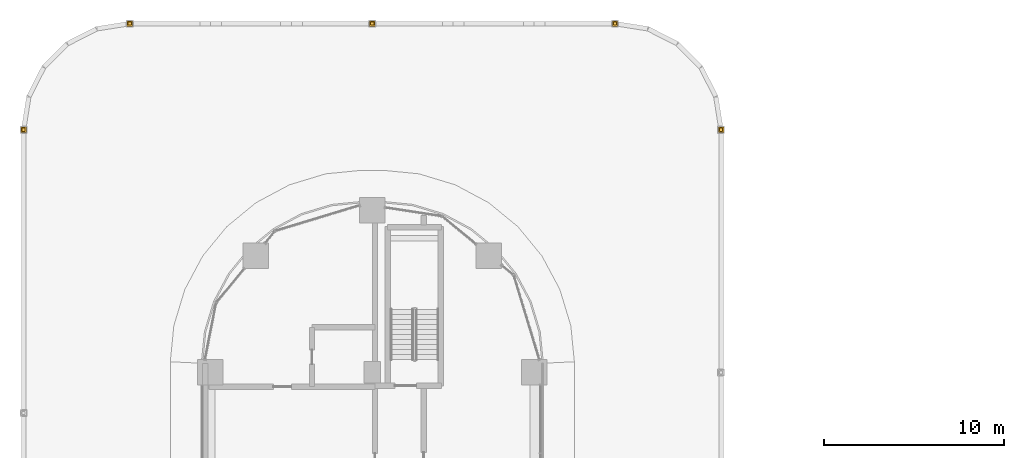
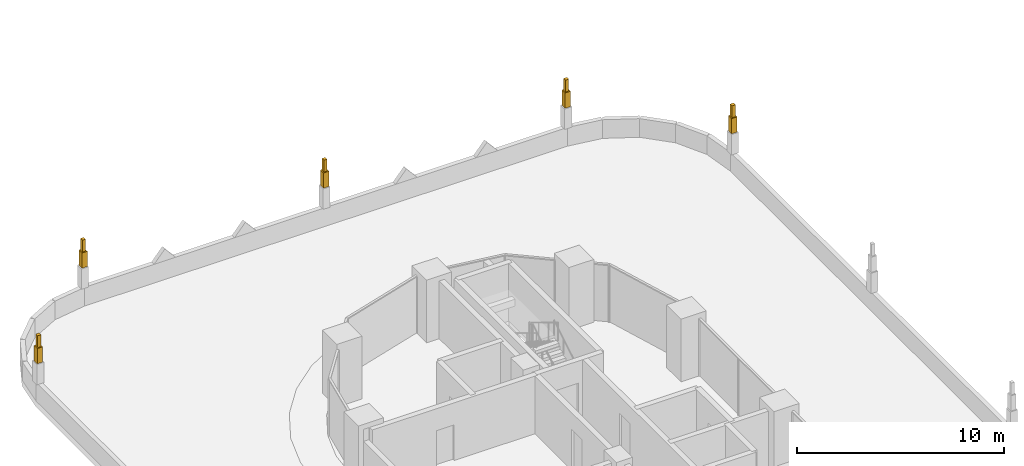
# One storey, part 51 of 51: 10 coverings.
"""IFC4 building model written with IfcOpenShell, lengths in metres."""

from ifc_helpers import new_model, si_unit, direction, frame, origin, origin_2d, place, context, subcontext, project, spatial, rectangle, extrude, material, layer, layer_set, type_object, element, save


model = new_model("IFC4")

# Units and contexts
model_context = context("Model", 3, precision=1e-05, world=origin(), true_north=direction((0.0, 1.0)))
body_context = subcontext(model_context, "Body", "Model", "MODEL_VIEW")
ifc_project = project(units=[si_unit("LENGTHUNIT", "METRE"), si_unit("AREAUNIT", "SQUARE_METRE"), si_unit("VOLUMEUNIT", "CUBIC_METRE"), si_unit("PLANEANGLEUNIT", "RADIAN"), si_unit("MASSUNIT", "GRAM", prefix="KILO")], contexts=[model_context])

# Site, building, storey
site_placement = place(None, origin())
site = spatial("IfcSite", under=ifc_project, at=site_placement, CompositionType="ELEMENT")
building_placement = place(site_placement, origin())
building = spatial("IfcBuilding", under=site, at=building_placement, Name="Ogive Portal Towers", CompositionType="ELEMENT")
storey_placement = place(building_placement, frame((0.0, 0.0, 33.5)))
storey = spatial("IfcBuildingStorey", under=building, at=storey_placement, Name="L06", CompositionType="ELEMENT", Elevation=33.5)

# Coverings
ifc_material = material(Name="Limestone cladding on lightweight block wall", Category="masonry")
ifc_layer_1 = layer(ifc_material, 0.179931640625)
ifc_layer_set_1 = layer_set([ifc_layer_1], Name="PINNACLE FINIAL STONE")
covering_type_1 = type_object("IfcCoveringType", Name="PINNACLE FINIAL STONE", PredefinedType="CLADDING", material=ifc_layer_set_1)
for number, where, z_axis, x_axis, name in (
    (1, (21.125, 79.980224609375, 3.2001953125), (0.0, 0.0, 1.0), (1.0, 0.0, 0.0), "PINNACLE"),
    (2, (59.875, 79.980224609375, 3.2001953125), (0.0, 0.0, 1.0), (1.0, 0.0, 0.0), "PINNACLE"),
    (3, (53.980224609375, 85.875, 3.2001953125), (0.0, 0.0, 1.0), (1.0, 0.0, 0.0), "PINNACLE"),
    (4, (40.5, 85.875, 3.2001953125), (0.0, 0.0, 1.0), (1.0, 0.0, 0.0), "PINNACLE"),
    (5, (27.019775390625, 85.875, 3.2001953125), (0.0, 0.0, 1.0), (1.0, 0.0, 0.0), "PINNACLE"),
):
    element("IfcCovering", number, at=place(storey_placement, frame(where, z_axis=z_axis, x_axis=x_axis)), inside=storey, type_object=covering_type_1, Name=name, PredefinedType="CLADDING", context=body_context, shape_type="SweptSolid", body=[
        extrude(rectangle(XDim=0.179931640625, YDim=0.179931640625, at=origin_2d()), origin(), (0.0, 0.0, 1.0), 0.699951171875),
    ])
ifc_layer_2 = layer(ifc_material, 0.300048828125)
ifc_layer_set_2 = layer_set([ifc_layer_2], Name="PINNACLE MID STONE")
covering_type_2 = type_object("IfcCoveringType", Name="PINNACLE MID STONE", PredefinedType="CLADDING", material=ifc_layer_set_2)
for number, where, z_axis, x_axis, name in (
    (6, (21.125, 79.980224609375, 2.300048828125), (0.0, 0.0, 1.0), (1.0, 0.0, 0.0), "PINNACLE"),
    (7, (59.875, 79.980224609375, 2.300048828125), (0.0, 0.0, 1.0), (1.0, 0.0, 0.0), "PINNACLE"),
    (8, (53.980224609375, 85.875, 2.300048828125), (0.0, 0.0, 1.0), (1.0, 0.0, 0.0), "PINNACLE"),
    (9, (40.5, 85.875, 2.300048828125), (0.0, 0.0, 1.0), (1.0, 0.0, 0.0), "PINNACLE"),
    (10, (27.019775390625, 85.875, 2.300048828125), (0.0, 0.0, 1.0), (1.0, 0.0, 0.0), "PINNACLE"),
):
    element("IfcCovering", number, at=place(storey_placement, frame(where, z_axis=z_axis, x_axis=x_axis)), inside=storey, type_object=covering_type_2, Name=name, PredefinedType="CLADDING", context=body_context, shape_type="SweptSolid", body=[
        extrude(rectangle(XDim=0.300048828125, YDim=0.300048828125, at=origin_2d()), origin(), (0.0, 0.0, 1.0), 0.89990234375),
    ])

save(model, "model.ifc")
